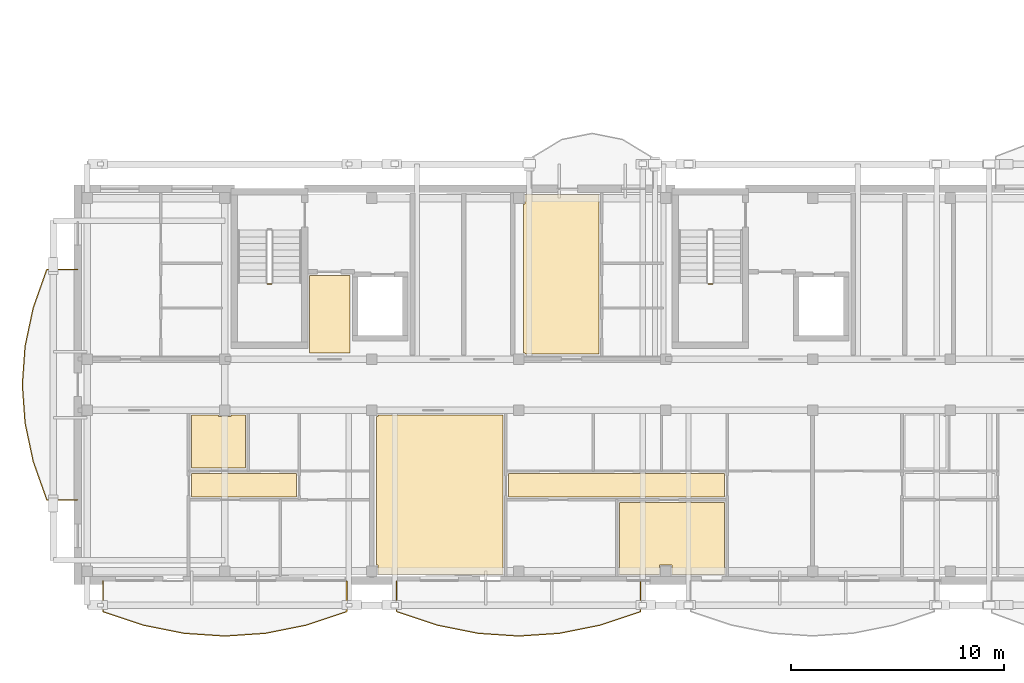
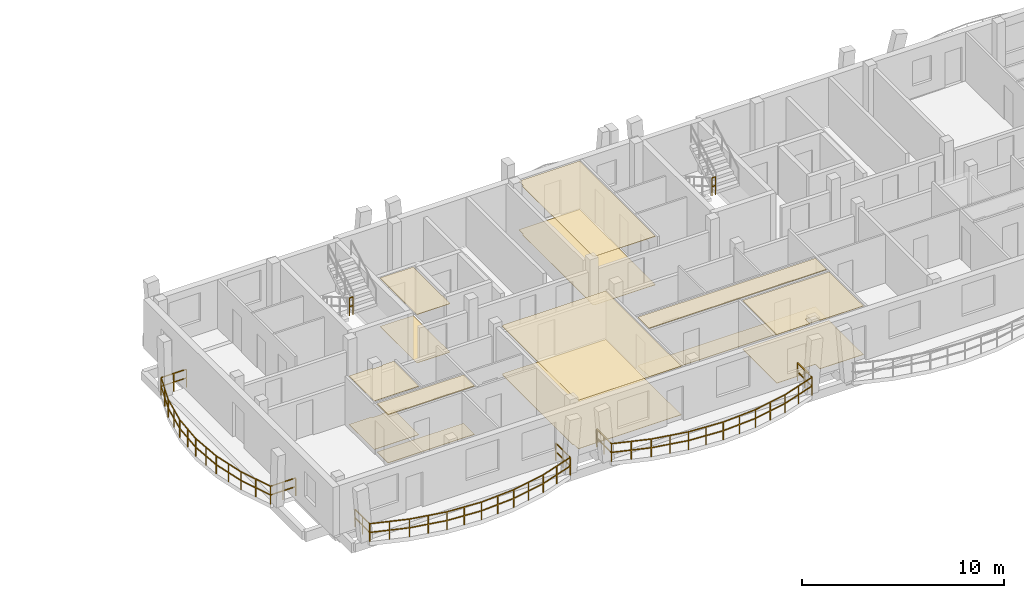
# One storey, part 37 of 48: 14 coverings, 5 railings.
"""IFC4 building model written with IfcOpenShell, lengths in metres."""

from ifc_helpers import new_model, si_unit, direction, frame, origin, origin_2d, place, context, subcontext, project, spatial, polyline, rectangle, outline, extrude, material, layer, layer_set, type_object, element, save


model = new_model("IFC4")

# Units and contexts
model_context = context("Model", 3, precision=1e-05, world=origin(), true_north=direction((0.0, 1.0)))
body_context = subcontext(model_context, "Body", "Model", "MODEL_VIEW")
ifc_project = project(units=[si_unit("LENGTHUNIT", "METRE"), si_unit("AREAUNIT", "SQUARE_METRE"), si_unit("VOLUMEUNIT", "CUBIC_METRE"), si_unit("PLANEANGLEUNIT", "RADIAN"), si_unit("MASSUNIT", "GRAM", prefix="KILO")], contexts=[model_context])

# Site, building, storey
site_placement = place(None, origin())
site = spatial("IfcSite", under=ifc_project, at=site_placement, CompositionType="ELEMENT")
building_placement = place(site_placement, origin())
building = spatial("IfcBuilding", under=site, at=building_placement, Name="Zavelmont Quarter", CompositionType="ELEMENT")
storey_placement = place(building_placement, frame((0.0, 0.0, 17.60009765625)))
storey = spatial("IfcBuildingStorey", under=building, at=storey_placement, Name="L05", CompositionType="ELEMENT", Elevation=17.60009765625)

# Coverings
ifc_material_1 = material(Name="Perforated acoustic gypsum board")
ifc_layer_1 = layer(ifc_material_1, 0.02490234375)
ifc_layer_set_1 = layer_set([ifc_layer_1], Name="Perforated acoustic gypsum board")
covering_type_1 = type_object("IfcCoveringType", Name="CV-CL01", PredefinedType="CEILING", material=ifc_layer_set_1)
covering_1_placement = place(storey_placement, frame((0.0, 0.0, 2.9248046875)))
element("IfcCovering", 1, at=covering_1_placement, inside=storey, type_object=covering_type_1, Name="L05 Lobby Vestibule acoustic ceiling", PredefinedType="CEILING", context=body_context, shape_type="SweptSolid", body=[
    extrude(outline(polyline([(10.8798828125, 14.320068359375), (12.77001953125, 14.320068359375), (12.77001953125, 10.679931640625), (10.8798828125, 10.679931640625), (10.8798828125, 14.320068359375)])), origin(), (0.0, 0.0, 1.0), 0.025146484375),
])
covering_2_placement = place(storey_placement, frame((0.0, 0.0, 2.9248046875)))
element("IfcCovering", 2, at=covering_2_placement, inside=storey, type_object=covering_type_1, Name="L05 Kitchen acoustic ceiling", PredefinedType="CEILING", context=body_context, shape_type="SweptSolid", body=[
    extrude(outline(polyline([(5.330078125, 7.77001953125), (6.610107421875, 7.77001953125), (6.610107421875, 7.7099609375), (7.18994140625, 7.7099609375), (7.18994140625, 7.77001953125), (7.8701171875, 7.77001953125), (7.8701171875, 5.280029296875), (5.330078125, 5.280029296875), (5.330078125, 7.77001953125)])), origin(), (0.0, 0.0, 1.0), 0.025146484375),
])
covering_3_placement = place(storey_placement, frame((0.0, 0.0, 2.9248046875)))
element("IfcCovering", 3, at=covering_3_placement, inside=storey, type_object=covering_type_1, Name="L05 Living Dining acoustic ceiling", PredefinedType="CEILING", context=body_context, shape_type="SweptSolid", body=[
    extrude(outline(polyline([(14.030029296875, 7.7099609375), (14.090087890625, 7.7099609375), (14.090087890625, 7.77001953125), (19.969970703125, 7.77001953125), (19.969970703125, 0.280029296875), (14.090087890625, 0.280029296875), (14.090087890625, 0.72998046875), (14.030029296875, 0.72998046875), (14.030029296875, 7.7099609375)])), origin(), (0.0, 0.0, 1.0), 0.025146484375),
])
covering_4_placement = place(storey_placement, frame((0.0, 0.0, 2.9248046875)))
element("IfcCovering", 4, at=covering_4_placement, inside=storey, type_object=covering_type_1, Name="L05 Double Bedroom acoustic ceiling", PredefinedType="CEILING", context=body_context, shape_type="SweptSolid", body=[
    extrude(outline(polyline([(25.429931640625, 3.669921875), (30.3701171875, 3.669921875), (30.3701171875, 0.280029296875), (27.889892578125, 0.280029296875), (27.889892578125, 0.72998046875), (27.31005859375, 0.72998046875), (27.31005859375, 0.280029296875), (25.429931640625, 0.280029296875), (25.429931640625, 3.669921875)])), origin(), (0.0, 0.0, 1.0), 0.025146484375),
])
covering_5_placement = place(storey_placement, frame((0.0, 0.0, 2.9248046875)))
element("IfcCovering", 5, at=covering_5_placement, inside=storey, type_object=covering_type_1, Name="L05 Living Dining acoustic ceiling", PredefinedType="CEILING", context=body_context, shape_type="SweptSolid", body=[
    extrude(outline(polyline([(20.929931640625, 17.669921875), (20.989990234375, 17.669921875), (20.989990234375, 18.1201171875), (24.469970703125, 18.1201171875), (24.469970703125, 10.6298828125), (20.989990234375, 10.6298828125), (20.989990234375, 10.68994140625), (20.929931640625, 10.68994140625), (20.929931640625, 17.669921875)])), origin(), (0.0, 0.0, 1.0), 0.025146484375),
])
ifc_material_2 = material(Name="Slatted European ash acoustic baffle ceiling")
ifc_layer_2 = layer(ifc_material_2, 0.0400390625)
ifc_layer_set_2 = layer_set([ifc_layer_2], Name="Slatted European ash acoustic baffle ceiling")
covering_type_2 = type_object("IfcCoveringType", Name="CV-CL02", PredefinedType="CEILING", material=ifc_layer_set_2)
covering_6_placement = place(storey_placement, frame((0.0, 0.0, 2.909912109375)))
element("IfcCovering", 6, at=covering_6_placement, inside=storey, type_object=covering_type_2, Name="L05 Apartment Hall acoustic ceiling", PredefinedType="CEILING", context=body_context, shape_type="SweptSolid", body=[
    extrude(outline(polyline([(5.330078125, 5.02001953125), (10.27001953125, 5.02001953125), (10.27001953125, 3.929931640625), (5.330078125, 3.929931640625), (5.330078125, 5.02001953125)])), origin(), (0.0, 0.0, 1.0), 0.0400390625),
])
covering_7_placement = place(storey_placement, frame((0.0, 0.0, 2.909912109375)))
element("IfcCovering", 7, at=covering_7_placement, inside=storey, type_object=covering_type_2, Name="L05 Apartment Hall acoustic ceiling", PredefinedType="CEILING", context=body_context, shape_type="SweptSolid", body=[
    extrude(outline(polyline([(20.22998046875, 5.02001953125), (30.3701171875, 5.02001953125), (30.3701171875, 3.929931640625), (20.22998046875, 3.929931640625), (20.22998046875, 5.02001953125)])), origin(), (0.0, 0.0, 1.0), 0.0400390625),
])
ifc_material_3 = material(Name="Engineered European oak parquet")
ifc_layer_3 = layer(ifc_material_3, 0.02197265625)
ifc_layer_set_3 = layer_set([ifc_layer_3], Name="Engineered European oak parquet")
covering_type_3 = type_object("IfcCoveringType", Name="CV-FL01", PredefinedType="FLOORING", material=ifc_layer_set_3)
covering_8_placement = place(storey_placement, origin())
element("IfcCovering", 8, at=covering_8_placement, inside=storey, type_object=covering_type_3, Name="L05 Lobby Vestibule floor finish", PredefinedType="FLOORING", context=body_context, shape_type="SweptSolid", body=[
    extrude(outline(polyline([(10.8798828125, 14.320068359375), (12.77001953125, 14.320068359375), (12.77001953125, 10.679931640625), (10.8798828125, 10.679931640625), (10.8798828125, 14.320068359375)])), origin(), (0.0, 0.0, 1.0), 0.02197265625),
])
covering_9_placement = place(storey_placement, origin())
element("IfcCovering", 9, at=covering_9_placement, inside=storey, type_object=covering_type_3, Name="L05 Kitchen floor finish", PredefinedType="FLOORING", context=body_context, shape_type="SweptSolid", body=[
    extrude(outline(polyline([(5.330078125, 7.77001953125), (6.610107421875, 7.77001953125), (6.610107421875, 7.7099609375), (7.18994140625, 7.7099609375), (7.18994140625, 7.77001953125), (7.8701171875, 7.77001953125), (7.8701171875, 5.280029296875), (5.330078125, 5.280029296875), (5.330078125, 7.77001953125)])), origin(), (0.0, 0.0, 1.0), 0.02197265625),
])
covering_10_placement = place(storey_placement, origin())
element("IfcCovering", 10, at=covering_10_placement, inside=storey, type_object=covering_type_3, Name="L05 Living Dining floor finish", PredefinedType="FLOORING", context=body_context, shape_type="SweptSolid", body=[
    extrude(outline(polyline([(14.030029296875, 7.7099609375), (14.090087890625, 7.7099609375), (14.090087890625, 7.77001953125), (19.969970703125, 7.77001953125), (19.969970703125, 0.280029296875), (14.090087890625, 0.280029296875), (14.090087890625, 0.72998046875), (14.030029296875, 0.72998046875), (14.030029296875, 7.7099609375)])), origin(), (0.0, 0.0, 1.0), 0.02197265625),
])
covering_11_placement = place(storey_placement, origin())
element("IfcCovering", 11, at=covering_11_placement, inside=storey, type_object=covering_type_3, Name="L05 Double Bedroom floor finish", PredefinedType="FLOORING", context=body_context, shape_type="SweptSolid", body=[
    extrude(outline(polyline([(25.429931640625, 3.669921875), (30.3701171875, 3.669921875), (30.3701171875, 0.280029296875), (27.889892578125, 0.280029296875), (27.889892578125, 0.72998046875), (27.31005859375, 0.72998046875), (27.31005859375, 0.280029296875), (25.429931640625, 0.280029296875), (25.429931640625, 3.669921875)])), origin(), (0.0, 0.0, 1.0), 0.02197265625),
])
covering_12_placement = place(storey_placement, origin())
element("IfcCovering", 12, at=covering_12_placement, inside=storey, type_object=covering_type_3, Name="L05 Living Dining floor finish", PredefinedType="FLOORING", context=body_context, shape_type="SweptSolid", body=[
    extrude(outline(polyline([(20.929931640625, 17.669921875), (20.989990234375, 17.669921875), (20.989990234375, 18.1201171875), (24.469970703125, 18.1201171875), (24.469970703125, 10.6298828125), (20.989990234375, 10.6298828125), (20.989990234375, 10.68994140625), (20.929931640625, 10.68994140625), (20.929931640625, 17.669921875)])), origin(), (0.0, 0.0, 1.0), 0.02197265625),
])
ifc_material_4 = material(Name="Honed Belgian bluestone tile", Category="masonry")
ifc_layer_4 = layer(ifc_material_4, 0.030029296875)
ifc_layer_set_4 = layer_set([ifc_layer_4], Name="Honed Belgian bluestone tile")
covering_type_4 = type_object("IfcCoveringType", Name="CV-FL02", PredefinedType="FLOORING", material=ifc_layer_set_4)
covering_13_placement = place(storey_placement, origin())
element("IfcCovering", 13, at=covering_13_placement, inside=storey, type_object=covering_type_4, Name="L05 Apartment Hall floor finish", PredefinedType="FLOORING", context=body_context, shape_type="SweptSolid", body=[
    extrude(outline(polyline([(5.330078125, 5.02001953125), (10.27001953125, 5.02001953125), (10.27001953125, 3.929931640625), (5.330078125, 3.929931640625), (5.330078125, 5.02001953125)])), origin(), (0.0, 0.0, 1.0), 0.02978515625),
])
covering_14_placement = place(storey_placement, origin())
element("IfcCovering", 14, at=covering_14_placement, inside=storey, type_object=covering_type_4, Name="L05 Apartment Hall floor finish", PredefinedType="FLOORING", context=body_context, shape_type="SweptSolid", body=[
    extrude(outline(polyline([(20.22998046875, 5.02001953125), (30.3701171875, 5.02001953125), (30.3701171875, 3.929931640625), (20.22998046875, 3.929931640625), (20.22998046875, 5.02001953125)])), origin(), (0.0, 0.0, 1.0), 0.02978515625),
])

# Railings
ifc_material_5 = material(Name="Powder-coated steel and tempered double safety glass", Category="steel")
railing_type_1 = type_object("IfcRailingType", Name="RL-BAL1", PredefinedType="BALUSTRADE", material=ifc_material_5)
railing_1_placement = place(storey_placement, frame((1.173095703125, -0.02001953125, 0.0)))
element("IfcRailing", 15, at=railing_1_placement, inside=storey, type_object=railing_type_1, Name="L05 Block A curved balcony guard RL-BAL1", PredefinedType="BALUSTRADE", context=body_context, shape_type="SweptSolid", body=[
    extrude(rectangle(XDim=0.048095703125, YDim=0.048095703125, at=origin_2d()), frame((0.0, 0.0, 1.076171875), z_axis=(0.0, -1.0, 0.0), x_axis=(1.0, 0.0, 0.0)), (0.0, 0.0, 1.0), 1.43994140625),
    extrude(rectangle(XDim=0.048095703125, YDim=0.048095703125, at=origin_2d()), frame((0.0, 0.0, 0.550048828125), z_axis=(0.0, -1.0, 0.0), x_axis=(1.0, 0.0, 0.0)), (0.0, 0.0, 1.0), 1.43994140625),
    extrude(rectangle(XDim=0.048095703125, YDim=0.048095703125, at=origin_2d()), frame((0.0, -1.43994140625, 1.076171875), z_axis=(0.948549768801, -0.316628072205, 0.0), x_axis=(0.316628072205, 0.948549768801, 0.0)), (0.0, 0.0, 1.0), 2.012451171875),
    extrude(rectangle(XDim=0.048095703125, YDim=0.048095703125, at=origin_2d()), frame((0.0, -1.43994140625, 0.550048828125), z_axis=(0.948549768801, -0.316628072205, 0.0), x_axis=(0.316628072205, 0.948549768801, 0.0)), (0.0, 0.0, 1.0), 2.012451171875),
    extrude(rectangle(XDim=0.048095703125, YDim=0.048095703125, at=origin_2d()), frame((1.908935546875, -2.0771484375, 1.076171875), z_axis=(0.98052758461, -0.196381403952, 0.0), x_axis=(0.196381403952, 0.98052758461, 0.0)), (0.0, 0.0, 1.0), 1.94677734375),
    extrude(rectangle(XDim=0.048095703125, YDim=0.048095703125, at=origin_2d()), frame((1.908935546875, -2.0771484375, 0.550048828125), z_axis=(0.98052758461, -0.196381403952, 0.0), x_axis=(0.196381403952, 0.98052758461, 0.0)), (0.0, 0.0, 1.0), 1.94677734375),
    extrude(rectangle(XDim=0.048095703125, YDim=0.048095703125, at=origin_2d()), frame((3.81787109375, -2.45947265625, 1.076171875), z_axis=(0.997778942424, -0.066612176486, 0.0), x_axis=(0.066612176486, 0.997778942424, 0.0)), (0.0, 0.0, 1.0), 1.9130859375),
    extrude(rectangle(XDim=0.048095703125, YDim=0.048095703125, at=origin_2d()), frame((3.81787109375, -2.45947265625, 0.550048828125), z_axis=(0.997778942424, -0.066612176486, 0.0), x_axis=(0.066612176486, 0.997778942424, 0.0)), (0.0, 0.0, 1.0), 1.9130859375),
    extrude(rectangle(XDim=0.048095703125, YDim=0.048095703125, at=origin_2d()), frame((5.726806640625, -2.5869140625, 1.076171875), z_axis=(0.997779508542, 0.066603696094, 0.0), x_axis=(-0.066603696094, 0.997779508542, 0.0)), (0.0, 0.0, 1.0), 1.913330078125),
    extrude(rectangle(XDim=0.048095703125, YDim=0.048095703125, at=origin_2d()), frame((5.726806640625, -2.5869140625, 0.550048828125), z_axis=(0.997779508542, 0.066603696094, 0.0), x_axis=(-0.066603696094, 0.997779508542, 0.0)), (0.0, 0.0, 1.0), 1.913330078125),
    extrude(rectangle(XDim=0.048095703125, YDim=0.048095703125, at=origin_2d()), frame((7.635986328125, -2.45947265625, 1.076171875), z_axis=(0.98052758461, 0.196381403952, 0.0), x_axis=(-0.196381403952, 0.98052758461, 0.0)), (0.0, 0.0, 1.0), 1.94677734375),
    extrude(rectangle(XDim=0.048095703125, YDim=0.048095703125, at=origin_2d()), frame((7.635986328125, -2.45947265625, 0.550048828125), z_axis=(0.98052758461, 0.196381403952, 0.0), x_axis=(-0.196381403952, 0.98052758461, 0.0)), (0.0, 0.0, 1.0), 1.94677734375),
    extrude(rectangle(XDim=0.048095703125, YDim=0.048095703125, at=origin_2d()), frame((9.544921875, -2.0771484375, 1.076171875), z_axis=(0.948549768801, 0.316628072205, 0.0), x_axis=(-0.316628072205, 0.948549768801, 0.0)), (0.0, 0.0, 1.0), 2.012451171875),
    extrude(rectangle(XDim=0.048095703125, YDim=0.048095703125, at=origin_2d()), frame((9.544921875, -2.0771484375, 0.550048828125), z_axis=(0.948549768801, 0.316628072205, 0.0), x_axis=(-0.316628072205, 0.948549768801, 0.0)), (0.0, 0.0, 1.0), 2.012451171875),
    extrude(rectangle(XDim=0.048095703125, YDim=0.048095703125, at=origin_2d()), frame((11.453857421875, -1.43994140625, 1.076171875), z_axis=(0.0, 1.0, 0.0), x_axis=(-1.0, 0.0, 0.0)), (0.0, 0.0, 1.0), 1.43994140625),
    extrude(rectangle(XDim=0.048095703125, YDim=0.048095703125, at=origin_2d()), frame((11.453857421875, -1.43994140625, 0.550048828125), z_axis=(0.0, 1.0, 0.0), x_axis=(-1.0, 0.0, 0.0)), (0.0, 0.0, 1.0), 1.43994140625),
    extrude(rectangle(XDim=0.0419921875, YDim=0.0419921875, at=origin_2d()), origin(), (0.0, 0.0, 1.0), 1.052001953125),
    extrude(rectangle(XDim=0.0419921875, YDim=0.0419921875, at=origin_2d()), frame((0.0, -0.719970703125, 0.0)), (0.0, 0.0, 1.0), 1.052001953125),
    extrude(rectangle(XDim=0.0419921875, YDim=0.0419921875, at=origin_2d()), frame((0.0, -1.43994140625, 0.0)), (0.0, 0.0, 1.0), 1.052001953125),
    extrude(rectangle(XDim=0.0419921875, YDim=0.0419921875, at=origin_2d()), frame((0.95458984375, -1.758544921875, 0.0)), (0.0, 0.0, 1.0), 1.052001953125),
    extrude(rectangle(XDim=0.0419921875, YDim=0.0419921875, at=origin_2d()), frame((1.908935546875, -2.0771484375, 0.0)), (0.0, 0.0, 1.0), 1.052001953125),
    extrude(rectangle(XDim=0.0419921875, YDim=0.0419921875, at=origin_2d()), frame((2.86328125, -2.268310546875, 0.0)), (0.0, 0.0, 1.0), 1.052001953125),
    extrude(rectangle(XDim=0.0419921875, YDim=0.0419921875, at=origin_2d()), frame((3.81787109375, -2.45947265625, 0.0)), (0.0, 0.0, 1.0), 1.052001953125),
    extrude(rectangle(XDim=0.0419921875, YDim=0.0419921875, at=origin_2d()), frame((4.7724609375, -2.523193359375, 0.0)), (0.0, 0.0, 1.0), 1.052001953125),
    extrude(rectangle(XDim=0.0419921875, YDim=0.0419921875, at=origin_2d()), frame((5.726806640625, -2.5869140625, 0.0)), (0.0, 0.0, 1.0), 1.052001953125),
    extrude(rectangle(XDim=0.0419921875, YDim=0.0419921875, at=origin_2d()), frame((6.681396484375, -2.523193359375, 0.0)), (0.0, 0.0, 1.0), 1.052001953125),
    extrude(rectangle(XDim=0.0419921875, YDim=0.0419921875, at=origin_2d()), frame((7.635986328125, -2.45947265625, 0.0)), (0.0, 0.0, 1.0), 1.052001953125),
    extrude(rectangle(XDim=0.0419921875, YDim=0.0419921875, at=origin_2d()), frame((8.59033203125, -2.268310546875, 0.0)), (0.0, 0.0, 1.0), 1.052001953125),
    extrude(rectangle(XDim=0.0419921875, YDim=0.0419921875, at=origin_2d()), frame((9.544921875, -2.0771484375, 0.0)), (0.0, 0.0, 1.0), 1.052001953125),
    extrude(rectangle(XDim=0.0419921875, YDim=0.0419921875, at=origin_2d()), frame((10.49951171875, -1.758544921875, 0.0)), (0.0, 0.0, 1.0), 1.052001953125),
    extrude(rectangle(XDim=0.0419921875, YDim=0.0419921875, at=origin_2d()), frame((11.453857421875, -1.43994140625, 0.0)), (0.0, 0.0, 1.0), 1.052001953125),
    extrude(rectangle(XDim=0.0419921875, YDim=0.0419921875, at=origin_2d()), frame((11.453857421875, -0.719970703125, 0.0)), (0.0, 0.0, 1.0), 1.052001953125),
    extrude(rectangle(XDim=0.0419921875, YDim=0.0419921875, at=origin_2d()), frame((11.453857421875, 0.0, 0.0)), (0.0, 0.0, 1.0), 1.052001953125),
])
railing_2_placement = place(storey_placement, frame((14.972900390625, -0.02001953125, 0.0)))
element("IfcRailing", 16, at=railing_2_placement, inside=storey, type_object=railing_type_1, Name="L05 Block A curved balcony guard RL-BAL1", PredefinedType="BALUSTRADE", context=body_context, shape_type="SweptSolid", body=[
    extrude(rectangle(XDim=0.048095703125, YDim=0.048095703125, at=origin_2d()), frame((0.0, 0.0, 1.076171875), z_axis=(0.0, -1.0, 0.0), x_axis=(1.0, 0.0, 0.0)), (0.0, 0.0, 1.0), 1.43994140625),
    extrude(rectangle(XDim=0.048095703125, YDim=0.048095703125, at=origin_2d()), frame((0.0, 0.0, 0.550048828125), z_axis=(0.0, -1.0, 0.0), x_axis=(1.0, 0.0, 0.0)), (0.0, 0.0, 1.0), 1.43994140625),
    extrude(rectangle(XDim=0.048095703125, YDim=0.048095703125, at=origin_2d()), frame((0.0, -1.43994140625, 1.076171875), z_axis=(0.948561928779, -0.316591641191, 0.0), x_axis=(0.316591641191, 0.948561928779, 0.0)), (0.0, 0.0, 1.0), 2.0126953125),
    extrude(rectangle(XDim=0.048095703125, YDim=0.048095703125, at=origin_2d()), frame((0.0, -1.43994140625, 0.550048828125), z_axis=(0.948561928779, -0.316591641191, 0.0), x_axis=(0.316591641191, 0.948561928779, 0.0)), (0.0, 0.0, 1.0), 2.0126953125),
    extrude(rectangle(XDim=0.048095703125, YDim=0.048095703125, at=origin_2d()), frame((1.9091796875, -2.0771484375, 1.076171875), z_axis=(0.98052758461, -0.196381403952, 0.0), x_axis=(0.196381403952, 0.98052758461, 0.0)), (0.0, 0.0, 1.0), 1.94677734375),
    extrude(rectangle(XDim=0.048095703125, YDim=0.048095703125, at=origin_2d()), frame((1.9091796875, -2.0771484375, 0.550048828125), z_axis=(0.98052758461, -0.196381403952, 0.0), x_axis=(0.196381403952, 0.98052758461, 0.0)), (0.0, 0.0, 1.0), 1.94677734375),
    extrude(rectangle(XDim=0.048095703125, YDim=0.048095703125, at=origin_2d()), frame((3.818115234375, -2.45947265625, 1.076171875), z_axis=(0.997778942424, -0.066612176486, 0.0), x_axis=(0.066612176486, 0.997778942424, 0.0)), (0.0, 0.0, 1.0), 1.9130859375),
    extrude(rectangle(XDim=0.048095703125, YDim=0.048095703125, at=origin_2d()), frame((3.818115234375, -2.45947265625, 0.550048828125), z_axis=(0.997778942424, -0.066612176486, 0.0), x_axis=(0.066612176486, 0.997778942424, 0.0)), (0.0, 0.0, 1.0), 1.9130859375),
    extrude(rectangle(XDim=0.048095703125, YDim=0.048095703125, at=origin_2d()), frame((5.72705078125, -2.5869140625, 1.076171875), z_axis=(0.997778942424, 0.066612176486, 0.0), x_axis=(-0.066612176486, 0.997778942424, 0.0)), (0.0, 0.0, 1.0), 1.9130859375),
    extrude(rectangle(XDim=0.048095703125, YDim=0.048095703125, at=origin_2d()), frame((5.72705078125, -2.5869140625, 0.550048828125), z_axis=(0.997778942424, 0.066612176486, 0.0), x_axis=(-0.066612176486, 0.997778942424, 0.0)), (0.0, 0.0, 1.0), 1.9130859375),
    extrude(rectangle(XDim=0.048095703125, YDim=0.048095703125, at=origin_2d()), frame((7.635986328125, -2.45947265625, 1.076171875), z_axis=(0.980532419975, 0.19635725955, 0.0), x_axis=(-0.19635725955, 0.980532419975, 0.0)), (0.0, 0.0, 1.0), 1.947021484375),
    extrude(rectangle(XDim=0.048095703125, YDim=0.048095703125, at=origin_2d()), frame((7.635986328125, -2.45947265625, 0.550048828125), z_axis=(0.980532419975, 0.19635725955, 0.0), x_axis=(-0.19635725955, 0.980532419975, 0.0)), (0.0, 0.0, 1.0), 1.947021484375),
    extrude(rectangle(XDim=0.048095703125, YDim=0.048095703125, at=origin_2d()), frame((9.545166015625, -2.0771484375, 1.076171875), z_axis=(0.948549768801, 0.316628072205, 0.0), x_axis=(-0.316628072205, 0.948549768801, 0.0)), (0.0, 0.0, 1.0), 2.012451171875),
    extrude(rectangle(XDim=0.048095703125, YDim=0.048095703125, at=origin_2d()), frame((9.545166015625, -2.0771484375, 0.550048828125), z_axis=(0.948549768801, 0.316628072205, 0.0), x_axis=(-0.316628072205, 0.948549768801, 0.0)), (0.0, 0.0, 1.0), 2.012451171875),
    extrude(rectangle(XDim=0.048095703125, YDim=0.048095703125, at=origin_2d()), frame((11.4541015625, -1.43994140625, 1.076171875), z_axis=(0.0, 1.0, 0.0), x_axis=(-1.0, 0.0, 0.0)), (0.0, 0.0, 1.0), 1.43994140625),
    extrude(rectangle(XDim=0.048095703125, YDim=0.048095703125, at=origin_2d()), frame((11.4541015625, -1.43994140625, 0.550048828125), z_axis=(0.0, 1.0, 0.0), x_axis=(-1.0, 0.0, 0.0)), (0.0, 0.0, 1.0), 1.43994140625),
    extrude(rectangle(XDim=0.0419921875, YDim=0.0419921875, at=origin_2d()), origin(), (0.0, 0.0, 1.0), 1.052001953125),
    extrude(rectangle(XDim=0.0419921875, YDim=0.0419921875, at=origin_2d()), frame((0.0, -0.719970703125, 0.0)), (0.0, 0.0, 1.0), 1.052001953125),
    extrude(rectangle(XDim=0.0419921875, YDim=0.0419921875, at=origin_2d()), frame((0.0, -1.43994140625, 0.0)), (0.0, 0.0, 1.0), 1.052001953125),
    extrude(rectangle(XDim=0.0419921875, YDim=0.0419921875, at=origin_2d()), frame((0.95458984375, -1.758544921875, 0.0)), (0.0, 0.0, 1.0), 1.052001953125),
    extrude(rectangle(XDim=0.0419921875, YDim=0.0419921875, at=origin_2d()), frame((1.9091796875, -2.0771484375, 0.0)), (0.0, 0.0, 1.0), 1.052001953125),
    extrude(rectangle(XDim=0.0419921875, YDim=0.0419921875, at=origin_2d()), frame((2.86376953125, -2.268310546875, 0.0)), (0.0, 0.0, 1.0), 1.052001953125),
    extrude(rectangle(XDim=0.0419921875, YDim=0.0419921875, at=origin_2d()), frame((3.818115234375, -2.45947265625, 0.0)), (0.0, 0.0, 1.0), 1.052001953125),
    extrude(rectangle(XDim=0.0419921875, YDim=0.0419921875, at=origin_2d()), frame((4.7724609375, -2.523193359375, 0.0)), (0.0, 0.0, 1.0), 1.052001953125),
    extrude(rectangle(XDim=0.0419921875, YDim=0.0419921875, at=origin_2d()), frame((5.72705078125, -2.5869140625, 0.0)), (0.0, 0.0, 1.0), 1.052001953125),
    extrude(rectangle(XDim=0.0419921875, YDim=0.0419921875, at=origin_2d()), frame((6.681640625, -2.523193359375, 0.0)), (0.0, 0.0, 1.0), 1.052001953125),
    extrude(rectangle(XDim=0.0419921875, YDim=0.0419921875, at=origin_2d()), frame((7.635986328125, -2.45947265625, 0.0)), (0.0, 0.0, 1.0), 1.052001953125),
    extrude(rectangle(XDim=0.0419921875, YDim=0.0419921875, at=origin_2d()), frame((8.590576171875, -2.268310546875, 0.0)), (0.0, 0.0, 1.0), 1.052001953125),
    extrude(rectangle(XDim=0.0419921875, YDim=0.0419921875, at=origin_2d()), frame((9.545166015625, -2.0771484375, 0.0)), (0.0, 0.0, 1.0), 1.052001953125),
    extrude(rectangle(XDim=0.0419921875, YDim=0.0419921875, at=origin_2d()), frame((10.49951171875, -1.758544921875, 0.0)), (0.0, 0.0, 1.0), 1.052001953125),
    extrude(rectangle(XDim=0.0419921875, YDim=0.0419921875, at=origin_2d()), frame((11.4541015625, -1.43994140625, 0.0)), (0.0, 0.0, 1.0), 1.052001953125),
    extrude(rectangle(XDim=0.0419921875, YDim=0.0419921875, at=origin_2d()), frame((11.4541015625, -0.719970703125, 0.0)), (0.0, 0.0, 1.0), 1.052001953125),
    extrude(rectangle(XDim=0.0419921875, YDim=0.0419921875, at=origin_2d()), frame((11.4541015625, 0.0, 0.0)), (0.0, 0.0, 1.0), 1.052001953125),
])
railing_3_placement = place(storey_placement, frame((-0.02001953125, 14.607177734375, 0.0)))
element("IfcRailing", 17, at=railing_3_placement, inside=storey, type_object=railing_type_1, Name="L05 Block A curved balcony guard RL-BAL1", PredefinedType="BALUSTRADE", context=body_context, shape_type="SweptSolid", body=[
    extrude(rectangle(XDim=0.048095703125, YDim=0.048095703125, at=origin_2d()), frame((0.0, 0.0, 1.076171875), z_axis=(-1.0, 0.0, 0.0), x_axis=(0.0, -1.0, 0.0)), (0.0, 0.0, 1.0), 1.43994140625),
    extrude(rectangle(XDim=0.048095703125, YDim=0.048095703125, at=origin_2d()), frame((0.0, 0.0, 0.550048828125), z_axis=(-1.0, 0.0, 0.0), x_axis=(0.0, -1.0, 0.0)), (0.0, 0.0, 1.0), 1.43994140625),
    extrude(rectangle(XDim=0.048095703125, YDim=0.048095703125, at=origin_2d()), frame((-1.43994140625, 0.0, 1.076171875), z_axis=(-0.333301018093, -0.942820466122, 0.0), x_axis=(0.942820466122, -0.333301018093, 0.0)), (0.0, 0.0, 1.0), 1.911865234375),
    extrude(rectangle(XDim=0.048095703125, YDim=0.048095703125, at=origin_2d()), frame((-1.43994140625, 0.0, 0.550048828125), z_axis=(-0.333301018093, -0.942820466122, 0.0), x_axis=(0.942820466122, -0.333301018093, 0.0)), (0.0, 0.0, 1.0), 1.911865234375),
    extrude(rectangle(XDim=0.048095703125, YDim=0.048095703125, at=origin_2d()), frame((-2.0771484375, -1.802490234375, 1.076171875), z_axis=(-0.207519579219, -0.97823086449, 0.0), x_axis=(0.97823086449, -0.207519579219, 0.0)), (0.0, 0.0, 1.0), 1.84228515625),
    extrude(rectangle(XDim=0.048095703125, YDim=0.048095703125, at=origin_2d()), frame((-2.0771484375, -1.802490234375, 0.550048828125), z_axis=(-0.207519579219, -0.97823086449, 0.0), x_axis=(0.97823086449, -0.207519579219, 0.0)), (0.0, 0.0, 1.0), 1.84228515625),
    extrude(rectangle(XDim=0.048095703125, YDim=0.048095703125, at=origin_2d()), frame((-2.45947265625, -3.604736328125, 1.076171875), z_axis=(-0.070526907214, -0.997509877324, 0.0), x_axis=(0.997509877324, -0.070526907214, 0.0)), (0.0, 0.0, 1.0), 1.806884765625),
    extrude(rectangle(XDim=0.048095703125, YDim=0.048095703125, at=origin_2d()), frame((-2.45947265625, -3.604736328125, 0.550048828125), z_axis=(-0.070526907214, -0.997509877324, 0.0), x_axis=(0.997509877324, -0.070526907214, 0.0)), (0.0, 0.0, 1.0), 1.806884765625),
    extrude(rectangle(XDim=0.048095703125, YDim=0.048095703125, at=origin_2d()), frame((-2.5869140625, -5.4072265625, 1.076171875), z_axis=(0.070536413586, -0.99750920515, 0.0), x_axis=(0.99750920515, 0.070536413586, 0.0)), (0.0, 0.0, 1.0), 1.806640625),
    extrude(rectangle(XDim=0.048095703125, YDim=0.048095703125, at=origin_2d()), frame((-2.5869140625, -5.4072265625, 0.550048828125), z_axis=(0.070536413586, -0.99750920515, 0.0), x_axis=(0.99750920515, 0.070536413586, 0.0)), (0.0, 0.0, 1.0), 1.806640625),
    extrude(rectangle(XDim=0.048095703125, YDim=0.048095703125, at=origin_2d()), frame((-2.45947265625, -7.20947265625, 1.076171875), z_axis=(0.207492681668, -0.978236570086, 0.0), x_axis=(0.978236570086, 0.207492681668, 0.0)), (0.0, 0.0, 1.0), 1.842529296875),
    extrude(rectangle(XDim=0.048095703125, YDim=0.048095703125, at=origin_2d()), frame((-2.45947265625, -7.20947265625, 0.550048828125), z_axis=(0.207492681668, -0.978236570086, 0.0), x_axis=(0.978236570086, 0.207492681668, 0.0)), (0.0, 0.0, 1.0), 1.842529296875),
    extrude(rectangle(XDim=0.048095703125, YDim=0.048095703125, at=origin_2d()), frame((-2.0771484375, -9.011962890625, 1.076171875), z_axis=(0.33334115194, -0.942806277251, 0.0), x_axis=(0.942806277251, 0.33334115194, 0.0)), (0.0, 0.0, 1.0), 1.91162109375),
    extrude(rectangle(XDim=0.048095703125, YDim=0.048095703125, at=origin_2d()), frame((-2.0771484375, -9.011962890625, 0.550048828125), z_axis=(0.33334115194, -0.942806277251, 0.0), x_axis=(0.942806277251, 0.33334115194, 0.0)), (0.0, 0.0, 1.0), 1.91162109375),
    extrude(rectangle(XDim=0.048095703125, YDim=0.048095703125, at=origin_2d()), frame((-1.43994140625, -10.814208984375, 1.076171875), z_axis=(1.0, 0.0, 0.0), x_axis=(0.0, 1.0, 0.0)), (0.0, 0.0, 1.0), 1.43994140625),
    extrude(rectangle(XDim=0.048095703125, YDim=0.048095703125, at=origin_2d()), frame((-1.43994140625, -10.814208984375, 0.550048828125), z_axis=(1.0, 0.0, 0.0), x_axis=(0.0, 1.0, 0.0)), (0.0, 0.0, 1.0), 1.43994140625),
    extrude(rectangle(XDim=0.0419921875, YDim=0.0419921875, at=origin_2d()), origin(), (0.0, 0.0, 1.0), 1.052001953125),
    extrude(rectangle(XDim=0.0419921875, YDim=0.0419921875, at=origin_2d()), frame((-0.719970703125, 0.0, 0.0)), (0.0, 0.0, 1.0), 1.052001953125),
    extrude(rectangle(XDim=0.0419921875, YDim=0.0419921875, at=origin_2d()), frame((-1.43994140625, 0.0, 0.0)), (0.0, 0.0, 1.0), 1.052001953125),
    extrude(rectangle(XDim=0.0419921875, YDim=0.0419921875, at=origin_2d()), frame((-1.758544921875, -0.9013671875, 0.0)), (0.0, 0.0, 1.0), 1.052001953125),
    extrude(rectangle(XDim=0.0419921875, YDim=0.0419921875, at=origin_2d()), frame((-2.0771484375, -1.802490234375, 0.0)), (0.0, 0.0, 1.0), 1.052001953125),
    extrude(rectangle(XDim=0.0419921875, YDim=0.0419921875, at=origin_2d()), frame((-2.268310546875, -2.70361328125, 0.0)), (0.0, 0.0, 1.0), 1.052001953125),
    extrude(rectangle(XDim=0.0419921875, YDim=0.0419921875, at=origin_2d()), frame((-2.45947265625, -3.604736328125, 0.0)), (0.0, 0.0, 1.0), 1.052001953125),
    extrude(rectangle(XDim=0.0419921875, YDim=0.0419921875, at=origin_2d()), frame((-2.523193359375, -4.505859375, 0.0)), (0.0, 0.0, 1.0), 1.052001953125),
    extrude(rectangle(XDim=0.0419921875, YDim=0.0419921875, at=origin_2d()), frame((-2.5869140625, -5.4072265625, 0.0)), (0.0, 0.0, 1.0), 1.052001953125),
    extrude(rectangle(XDim=0.0419921875, YDim=0.0419921875, at=origin_2d()), frame((-2.523193359375, -6.308349609375, 0.0)), (0.0, 0.0, 1.0), 1.052001953125),
    extrude(rectangle(XDim=0.0419921875, YDim=0.0419921875, at=origin_2d()), frame((-2.45947265625, -7.20947265625, 0.0)), (0.0, 0.0, 1.0), 1.052001953125),
    extrude(rectangle(XDim=0.0419921875, YDim=0.0419921875, at=origin_2d()), frame((-2.268310546875, -8.11083984375, 0.0)), (0.0, 0.0, 1.0), 1.052001953125),
    extrude(rectangle(XDim=0.0419921875, YDim=0.0419921875, at=origin_2d()), frame((-2.0771484375, -9.011962890625, 0.0)), (0.0, 0.0, 1.0), 1.052001953125),
    extrude(rectangle(XDim=0.0419921875, YDim=0.0419921875, at=origin_2d()), frame((-1.758544921875, -9.9130859375, 0.0)), (0.0, 0.0, 1.0), 1.052001953125),
    extrude(rectangle(XDim=0.0419921875, YDim=0.0419921875, at=origin_2d()), frame((-1.43994140625, -10.814208984375, 0.0)), (0.0, 0.0, 1.0), 1.052001953125),
    extrude(rectangle(XDim=0.0419921875, YDim=0.0419921875, at=origin_2d()), frame((-0.719970703125, -10.814208984375, 0.0)), (0.0, 0.0, 1.0), 1.052001953125),
    extrude(rectangle(XDim=0.0419921875, YDim=0.0419921875, at=origin_2d()), frame((0.0, -10.814208984375, 0.0)), (0.0, 0.0, 1.0), 1.052001953125),
])
ifc_material_6 = material(Name="Powder-coated steel stair guardrail", Category="steel")
railing_type_2 = type_object("IfcRailingType", Name="RL-GRD1", PredefinedType="GUARDRAIL", material=ifc_material_6)
railing_4_placement = place(storey_placement, frame((8.89990234375, 13.919921875, 1.599853515625)))
element("IfcRailing", 18, at=railing_4_placement, inside=storey, type_object=railing_type_2, Name="L05 ST01 stair guardrail 2", PredefinedType="GUARDRAIL", context=body_context, shape_type="SweptSolid", body=[
    extrude(rectangle(XDim=0.048095703125, YDim=0.048095703125, at=origin_2d()), frame((0.0, 0.0, 1.076171875), z_axis=(1.0, 0.0, 0.0), x_axis=(0.0, 1.0, 0.0)), (0.0, 0.0, 1.0), 0.2001953125),
    extrude(rectangle(XDim=0.048095703125, YDim=0.048095703125, at=origin_2d()), frame((0.0, 0.0, 0.550048828125), z_axis=(1.0, 0.0, 0.0), x_axis=(0.0, 1.0, 0.0)), (0.0, 0.0, 1.0), 0.2001953125),
    extrude(rectangle(XDim=0.0419921875, YDim=0.0419921875, at=origin_2d()), origin(), (0.0, 0.0, 1.0), 1.052001953125),
    extrude(rectangle(XDim=0.0419921875, YDim=0.0419921875, at=origin_2d()), frame((0.2001953125, 0.0, 0.0)), (0.0, 0.0, 1.0), 1.052001953125),
])
railing_5_placement = place(storey_placement, frame((29.60009765625, 13.919921875, 1.599853515625)))
element("IfcRailing", 19, at=railing_5_placement, inside=storey, type_object=railing_type_2, Name="L05 ST02 stair guardrail 2", PredefinedType="GUARDRAIL", context=body_context, shape_type="SweptSolid", body=[
    extrude(rectangle(XDim=0.048095703125, YDim=0.048095703125, at=origin_2d()), frame((0.0, 0.0, 1.076171875), z_axis=(1.0, 0.0, 0.0), x_axis=(0.0, 1.0, 0.0)), (0.0, 0.0, 1.0), 0.199951171875),
    extrude(rectangle(XDim=0.048095703125, YDim=0.048095703125, at=origin_2d()), frame((0.0, 0.0, 0.550048828125), z_axis=(1.0, 0.0, 0.0), x_axis=(0.0, 1.0, 0.0)), (0.0, 0.0, 1.0), 0.199951171875),
    extrude(rectangle(XDim=0.0419921875, YDim=0.0419921875, at=origin_2d()), origin(), (0.0, 0.0, 1.0), 1.052001953125),
    extrude(rectangle(XDim=0.0419921875, YDim=0.0419921875, at=origin_2d()), frame((0.199951171875, 0.0, 0.0)), (0.0, 0.0, 1.0), 1.052001953125),
])

save(model, "model.ifc")
